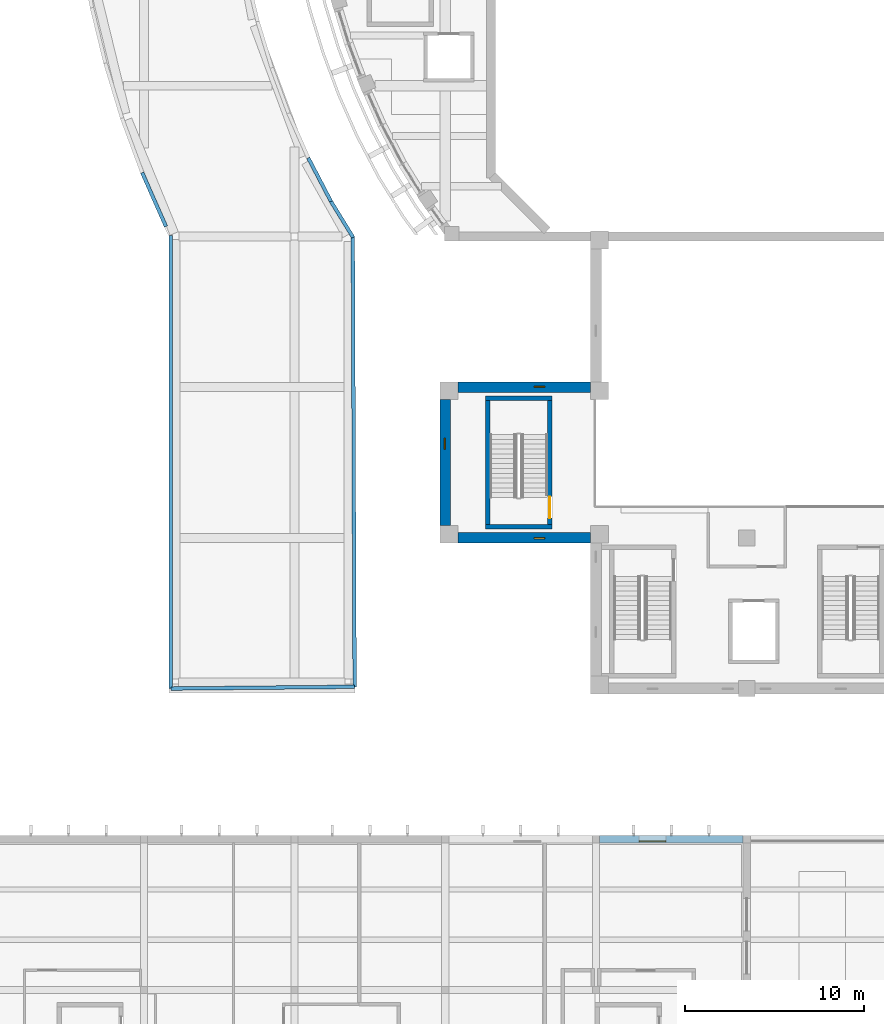
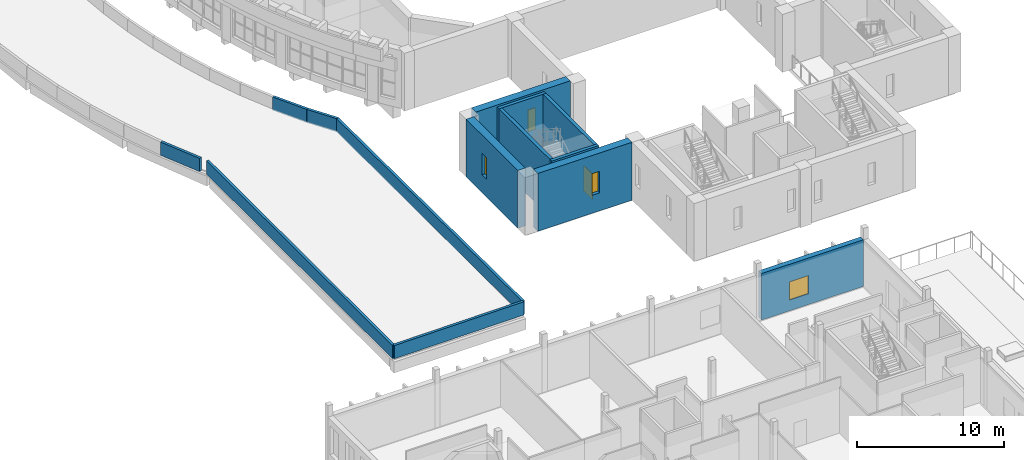
# One storey, part 11 of 79: 14 walls, 4 windows, 1 door, 5 openings.
"""IFC4 building model written with IfcOpenShell, lengths in metres."""

from ifc_helpers import new_model, si_unit, direction, frame, frame_2d, origin, place, context, subcontext, project, spatial, rectangle, extrude, material, layer, layer_set, type_object, element, fill, save


model = new_model("IFC4")

# Units and contexts
model_context = context("Model", 3, precision=1e-05, world=origin(), true_north=direction((0.0, 1.0)))
body_context = subcontext(model_context, "Body", "Model", "MODEL_VIEW")
ifc_project = project(units=[si_unit("LENGTHUNIT", "METRE"), si_unit("AREAUNIT", "SQUARE_METRE"), si_unit("VOLUMEUNIT", "CUBIC_METRE"), si_unit("PLANEANGLEUNIT", "RADIAN"), si_unit("MASSUNIT", "GRAM", prefix="KILO")], contexts=[model_context])

# Site, building, storey
site_placement = place(None, origin())
site = spatial("IfcSite", under=ifc_project, at=site_placement, CompositionType="ELEMENT")
building_placement = place(site_placement, origin())
building = spatial("IfcBuilding", under=site, at=building_placement, Name="Larchfold Concert Hall", CompositionType="ELEMENT")
storey_placement = place(building_placement, frame((0.0, 0.0, 14.39990234375)))
storey = spatial("IfcBuildingStorey", under=building, at=storey_placement, Name="L03", CompositionType="ELEMENT", Elevation=14.39990234375)

# Wall, opening, window
ifc_material_1 = material(Name="Larch cladding on mineral wool and CLT", Category="wood")
ifc_layer_1 = layer(ifc_material_1, 0.39990234375)
ifc_layer_set_1 = layer_set([ifc_layer_1], Name="Larch cladding on mineral wool and CLT")
wall_type_1 = type_object("IfcWallType", Name="Larch clad infill wall 400", PredefinedType="SOLIDWALL", material=ifc_layer_set_1)
wall_1_placement = place(storey_placement, frame((42.400146484375, 25.800048828125, 0.0), z_axis=(0.0, 0.0, 1.0), x_axis=(-1.0, 0.0, 0.0)))
wall_1 = element("IfcWall", 1, at=wall_1_placement, inside=storey, type_object=wall_type_1, Name="Infill wall W5055", PredefinedType="SOLIDWALL", context=body_context, shape_type="SweptSolid", body=[
    extrude(rectangle(XDim=8.000244140625, YDim=0.39990234375, at=frame_2d((4.0, 0.0))), origin(), (0.0, 0.0, 1.0), 3.860107421875),
])
opening_1_placement = place(wall_1_placement, frame((4.300048828125, 0.0, 0.89990234375)))
opening_1 = element("IfcOpeningElement", 2, at=opening_1_placement, cuts=wall_1, Name="Opening WN-L03-022", PredefinedType="OPENING", context=body_context, shape_type="SweptSolid", body=[
    extrude(rectangle(XDim=1.5, YDim=1.5, at=frame_2d((0.75, 0.75))), frame((0.0, 0.2099609375, 0.0), z_axis=(0.0, -1.0, 0.0), x_axis=(1.0, 0.0, 0.0)), (0.0, 0.0, 1.0), 0.419921875),
])
ifc_material_2 = material(Name="Anodised graphite aluminium frame with glass", Category="aluminium")
window_type_1 = type_object("IfcWindowType", Name="Studio window 1500x1500", PartitioningType="DOUBLE_PANEL_VERTICAL", PredefinedType="WINDOW", material=ifc_material_2)
window_1_placement = place(opening_1_placement, origin())
window_1 = element("IfcWindow", 3, at=window_1_placement, inside=storey, type_object=window_type_1, Name="Window WN-L03-022", OverallHeight=1.5, OverallWidth=1.5, PartitioningType="DOUBLE_PANEL_VERTICAL", PredefinedType="WINDOW", context=body_context, shape_type="SweptSolid", body=[
    extrude(rectangle(XDim=1.5, YDim=1.5, at=frame_2d((0.75, 0.75))), frame((0.0, 0.150146484375, 0.0), z_axis=(0.0, -1.0, 0.0), x_axis=(1.0, 0.0, 0.0)), (0.0, 0.0, 1.0), 0.06005859375),
])
fill(opening_1, window_1)

# Walls
ifc_material_3 = material(Name="White render on insulated block")
ifc_layer_2 = layer(ifc_material_3, 0.199951171875)
ifc_layer_set_2 = layer_set([ifc_layer_2], Name="White render on insulated block")
wall_type_2 = type_object("IfcWallType", Name="Roof parapet 200", PredefinedType="PARAPET", material=ifc_layer_set_2)
wall_2_placement = place(storey_placement, frame((20.66357421875, 59.347412109375, 0.0), z_axis=(0.0, 0.0, 1.0), x_axis=(-0.524021995027, 0.851704730953, 0.0)))
element("IfcWall", 4, at=wall_2_placement, inside=storey, type_object=wall_type_2, Name="Parapet PW0011", PredefinedType="PARAPET", context=body_context, shape_type="SweptSolid", body=[
    extrude(rectangle(XDim=2.34765625, YDim=0.199951171875, at=frame_2d((1.173828125, 0.0))), origin(), (0.0, 0.0, 1.0), 1.10009765625),
])
wall_3_placement = place(storey_placement, frame((19.433349609375, 61.346923828125, 0.0), z_axis=(0.0, 0.0, 1.0), x_axis=(-0.463254209344, 0.886225443962, 0.0)))
element("IfcWall", 5, at=wall_3_placement, inside=storey, type_object=wall_type_2, Name="Parapet PW0012", PredefinedType="PARAPET", context=body_context, shape_type="SweptSolid", body=[
    extrude(rectangle(XDim=2.739501953125, YDim=0.199951171875, at=frame_2d((1.36962890625, 0.0))), origin(), (0.0, 0.0, 1.0), 1.10009765625),
])
wall_4_placement = place(storey_placement, frame((8.904541015625, 62.957275390625, 0.0), z_axis=(0.0, 0.0, 1.0), x_axis=(0.404226073031, -0.914659106925, 0.0)))
element("IfcWall", 6, at=wall_4_placement, inside=storey, type_object=wall_type_2, Name="Parapet PW0069", PredefinedType="PARAPET", context=body_context, shape_type="SweptSolid", body=[
    extrude(rectangle(XDim=3.282470703125, YDim=0.199951171875, at=frame_2d((1.64111328125, 0.0))), origin(), (0.0, 0.0, 1.0), 1.10009765625),
])
wall_5_placement = place(storey_placement, frame((10.4970703125, 59.4462890625, 0.0), z_axis=(0.0, 0.0, 1.0), x_axis=(0.000454505847, -0.999999896712, 0.0)))
element("IfcWall", 7, at=wall_5_placement, inside=storey, type_object=wall_type_2, Name="Parapet PW0070", PredefinedType="PARAPET", context=body_context, shape_type="SweptSolid", body=[
    extrude(rectangle(XDim=25.246337890625, YDim=0.199951171875, at=frame_2d((12.623046875, 0.0))), origin(), (0.0, 0.0, 1.0), 1.10009765625),
])
wall_6_placement = place(storey_placement, frame((10.508544921875, 34.199951171875, 0.0), z_axis=(0.0, 0.0, 1.0), x_axis=(0.999952228717, 0.009774471051, 0.0)))
element("IfcWall", 8, at=wall_6_placement, inside=storey, type_object=wall_type_2, Name="Parapet PW0071", PredefinedType="PARAPET", context=body_context, shape_type="SweptSolid", body=[
    extrude(rectangle(XDim=10.24072265625, YDim=0.199951171875, at=frame_2d((5.120361328125, 0.0))), origin(), (0.0, 0.0, 1.0), 1.10009765625),
])
wall_7_placement = place(storey_placement, frame((20.748779296875, 34.300048828125, 0.0), z_axis=(0.0, 0.0, 1.0), x_axis=(-0.003987945994, 0.999992048112, 0.0)))
element("IfcWall", 9, at=wall_7_placement, inside=storey, type_object=wall_type_2, Name="Parapet PW0072", PredefinedType="PARAPET", context=body_context, shape_type="SweptSolid", body=[
    extrude(rectangle(XDim=25.10009765625, YDim=0.199951171875, at=frame_2d((12.550048828125, 0.0))), origin(), (0.0, 0.0, 1.0), 1.10009765625),
])
ifc_material_4 = material(Name="Concrete C40/50", Category="concrete")
ifc_layer_3 = layer(ifc_material_4, 0.25)
ifc_layer_set_3 = layer_set([ifc_layer_3], Name="Concrete C40/50")
wall_type_3 = type_object("IfcWallType", Name="Wall RC 250 stair core", PredefinedType="SOLIDWALL", material=ifc_layer_set_3)
for number, where, z_axis, x_axis, name in (
    (10, (28.050048828125, 43.22509765625, 0.0), (0.0, 0.0, 1.0), (1.0, 0.0, 0.0), "Wall W0062"),
    (11, (28.050048828125, 50.375, 0.0), (0.0, 0.0, 1.0), (1.0, 0.0, 0.0), "Wall W0063"),
):
    element("IfcWall", number, at=place(storey_placement, frame(where, z_axis=z_axis, x_axis=x_axis)), inside=storey, type_object=wall_type_3, Name=name, PredefinedType="SOLIDWALL", context=body_context, shape_type="SweptSolid", body=[
        extrude(rectangle(XDim=3.699951171875, YDim=0.25, at=frame_2d((1.85009765625, 0.0))), origin(), (0.0, 0.0, 1.0), 4.800048828125),
    ])
wall_8_placement = place(storey_placement, frame((28.175048828125, 43.35009765625, 0.0), z_axis=(0.0, 0.0, 1.0), x_axis=(0.0, 1.0, 0.0)))
element("IfcWall", 12, at=wall_8_placement, inside=storey, type_object=wall_type_3, Name="Wall W0064", PredefinedType="SOLIDWALL", context=body_context, shape_type="SweptSolid", body=[
    extrude(rectangle(XDim=6.89990234375, YDim=0.25, at=frame_2d((3.449951171875, 0.0))), origin(), (0.0, 0.0, 1.0), 4.800048828125),
])

# Wall, opening, door
wall_9_placement = place(storey_placement, frame((31.625, 43.35009765625, 0.0), z_axis=(0.0, 0.0, 1.0), x_axis=(0.0, 1.0, 0.0)))
wall_9 = element("IfcWall", 13, at=wall_9_placement, inside=storey, type_object=wall_type_3, Name="Wall W0065", PredefinedType="SOLIDWALL", context=body_context, shape_type="SweptSolid", body=[
    extrude(rectangle(XDim=6.89990234375, YDim=0.25, at=frame_2d((3.449951171875, 0.0))), origin(), (0.0, 0.0, 1.0), 4.800048828125),
])
opening_2_placement = place(wall_9_placement, frame((0.35009765625, 0.0, 0.0)))
opening_2 = element("IfcOpeningElement", 14, at=opening_2_placement, cuts=wall_9, Name="Opening D-L03-139", PredefinedType="OPENING", context=body_context, shape_type="SweptSolid", body=[
    extrude(rectangle(XDim=1.199951171875, YDim=2.10009765625, at=frame_2d((0.60009765625, 1.050048828125))), frame((0.0, 0.135009765625, 0.0), z_axis=(0.0, -1.0, 0.0), x_axis=(1.0, 0.0, 0.0)), (0.0, 0.0, 1.0), 0.27001953125),
])
ifc_material_5 = material(Name="Timber door leaf", Category="wood")
door_type = type_object("IfcDoorType", Name="Stair enclosure door pair 1200 x 2100 FD60", OperationType="SINGLE_SWING_LEFT", PredefinedType="DOOR", material=ifc_material_5)
door_placement = place(opening_2_placement, origin())
door = element("IfcDoor", 15, at=door_placement, inside=storey, type_object=door_type, Name="Door D-L03-139", OperationType="DOUBLE_DOOR_SINGLE_SWING", OverallHeight=2.10009765625, OverallWidth=1.199951171875, PredefinedType="DOOR", context=body_context, shape_type="SweptSolid", body=[
    extrude(rectangle(XDim=1.199951171875, YDim=2.10009765625, at=frame_2d((0.60009765625, 1.050048828125))), frame((0.0, 0.02490234375, 0.0), z_axis=(0.0, -1.0, 0.0), x_axis=(1.0, 0.0, 0.0)), (0.0, 0.0, 1.0), 0.050048828125),
])
fill(opening_2, door)

# Wall, opening, window
ifc_material_6 = material(Name="Concrete C40/50", Category="concrete")
ifc_layer_4 = layer(ifc_material_6, 0.60009765625)
ifc_layer_set_4 = layer_set([ifc_layer_4], Name="Concrete C40/50")
wall_type_4 = type_object("IfcWallType", Name="Wall RC 600 stage house", PredefinedType="SOLIDWALL", material=ifc_layer_set_4)
wall_10_placement = place(storey_placement, frame((33.89990234375, 51.0, 0.0), z_axis=(0.0, 0.0, 1.0), x_axis=(-1.0, 0.0, 0.0)))
wall_10 = element("IfcWall", 16, at=wall_10_placement, inside=storey, type_object=wall_type_4, Name="Wall W0013", PredefinedType="SOLIDWALL", context=body_context, shape_type="SweptSolid", body=[
    extrude(rectangle(XDim=7.39990234375, YDim=0.60009765625, at=frame_2d((3.699951171875, 0.0))), origin(), (0.0, 0.0, 1.0), 4.800048828125),
])
opening_3_placement = place(wall_10_placement, frame((2.5498046875, 0.0, 1.5)))
opening_3 = element("IfcOpeningElement", 17, at=opening_3_placement, cuts=wall_10, Name="Opening WN-L03-006", PredefinedType="OPENING", context=body_context, shape_type="SweptSolid", body=[
    extrude(rectangle(XDim=0.60009765625, YDim=1.800048828125, at=frame_2d((0.300048828125, 0.89990234375))), frame((0.0, 0.31005859375, 0.0), z_axis=(0.0, -1.0, 0.0), x_axis=(1.0, 0.0, 0.0)), (0.0, 0.0, 1.0), 0.6201171875),
])
ifc_material_7 = material(Name="Anodised graphite aluminium frame with glass", Category="aluminium")
window_type_2 = type_object("IfcWindowType", Name="Gallery slit window 600x1800", PartitioningType="SINGLE_PANEL", PredefinedType="WINDOW", material=ifc_material_7)
window_2_placement = place(opening_3_placement, origin())
window_2 = element("IfcWindow", 18, at=window_2_placement, inside=storey, type_object=window_type_2, Name="Window WN-L03-006", OverallHeight=1.800048828125, OverallWidth=0.60009765625, PartitioningType="SINGLE_PANEL", PredefinedType="WINDOW", context=body_context, shape_type="SweptSolid", body=[
    extrude(rectangle(XDim=0.60009765625, YDim=1.800048828125, at=frame_2d((0.300048828125, 0.89990234375))), frame((0.0, 0.010009765625, 0.0), z_axis=(0.0, -1.0, 0.0), x_axis=(1.0, 0.0, 0.0)), (0.0, 0.0, 1.0), 0.06005859375),
])
fill(opening_3, window_2)

wall_11_placement = place(storey_placement, frame((25.800048828125, 50.300048828125, 0.0), z_axis=(0.0, 0.0, 1.0), x_axis=(0.0, -1.0, 0.0)))
wall_11 = element("IfcWall", 19, at=wall_11_placement, inside=storey, type_object=wall_type_4, Name="Wall W0014", PredefinedType="SOLIDWALL", context=body_context, shape_type="SweptSolid", body=[
    extrude(rectangle(XDim=7.0, YDim=0.60009765625, at=frame_2d((3.5, 0.0))), origin(), (0.0, 0.0, 1.0), 4.800048828125),
])
opening_4_placement = place(wall_11_placement, frame((2.150146484375, 0.0, 1.5)))
opening_4 = element("IfcOpeningElement", 20, at=opening_4_placement, cuts=wall_11, Name="Opening WN-L03-007", PredefinedType="OPENING", context=body_context, shape_type="SweptSolid", body=[
    extrude(rectangle(XDim=0.60009765625, YDim=1.800048828125, at=frame_2d((0.300048828125, 0.89990234375))), frame((0.0, 0.31005859375, 0.0), z_axis=(0.0, -1.0, 0.0), x_axis=(1.0, 0.0, 0.0)), (0.0, 0.0, 1.0), 0.6201171875),
])
window_3_placement = place(opening_4_placement, origin())
window_3 = element("IfcWindow", 21, at=window_3_placement, inside=storey, type_object=window_type_2, Name="Window WN-L03-007", OverallHeight=1.800048828125, OverallWidth=0.60009765625, PartitioningType="SINGLE_PANEL", PredefinedType="WINDOW", context=body_context, shape_type="SweptSolid", body=[
    extrude(rectangle(XDim=0.60009765625, YDim=1.800048828125, at=frame_2d((0.300048828125, 0.89990234375))), frame((0.0, 0.010009765625, 0.0), z_axis=(0.0, -1.0, 0.0), x_axis=(1.0, 0.0, 0.0)), (0.0, 0.0, 1.0), 0.06005859375),
])
fill(opening_4, window_3)

wall_12_placement = place(storey_placement, frame((26.5, 42.60009765625, 0.0), z_axis=(0.0, 0.0, 1.0), x_axis=(1.0, 0.0, 0.0)))
wall_12 = element("IfcWall", 22, at=wall_12_placement, inside=storey, type_object=wall_type_4, Name="Wall W0015", PredefinedType="SOLIDWALL", context=body_context, shape_type="SweptSolid", body=[
    extrude(rectangle(XDim=7.39990234375, YDim=0.60009765625, at=frame_2d((3.699951171875, 0.0))), origin(), (0.0, 0.0, 1.0), 4.800048828125),
])
opening_5_placement = place(wall_12_placement, frame((4.25, 0.0, 1.5)))
opening_5 = element("IfcOpeningElement", 23, at=opening_5_placement, cuts=wall_12, Name="Opening WN-L03-008", PredefinedType="OPENING", context=body_context, shape_type="SweptSolid", body=[
    extrude(rectangle(XDim=0.60009765625, YDim=1.800048828125, at=frame_2d((0.300048828125, 0.89990234375))), frame((0.0, 0.31005859375, 0.0), z_axis=(0.0, -1.0, 0.0), x_axis=(1.0, 0.0, 0.0)), (0.0, 0.0, 1.0), 0.6201171875),
])
window_4_placement = place(opening_5_placement, origin())
window_4 = element("IfcWindow", 24, at=window_4_placement, inside=storey, type_object=window_type_2, Name="Window WN-L03-008", OverallHeight=1.800048828125, OverallWidth=0.60009765625, PartitioningType="SINGLE_PANEL", PredefinedType="WINDOW", context=body_context, shape_type="SweptSolid", body=[
    extrude(rectangle(XDim=0.60009765625, YDim=1.800048828125, at=frame_2d((0.300048828125, 0.89990234375))), frame((0.0, 0.010009765625, 0.0), z_axis=(0.0, -1.0, 0.0), x_axis=(1.0, 0.0, 0.0)), (0.0, 0.0, 1.0), 0.06005859375),
])
fill(opening_5, window_4)

save(model, "model.ifc")
